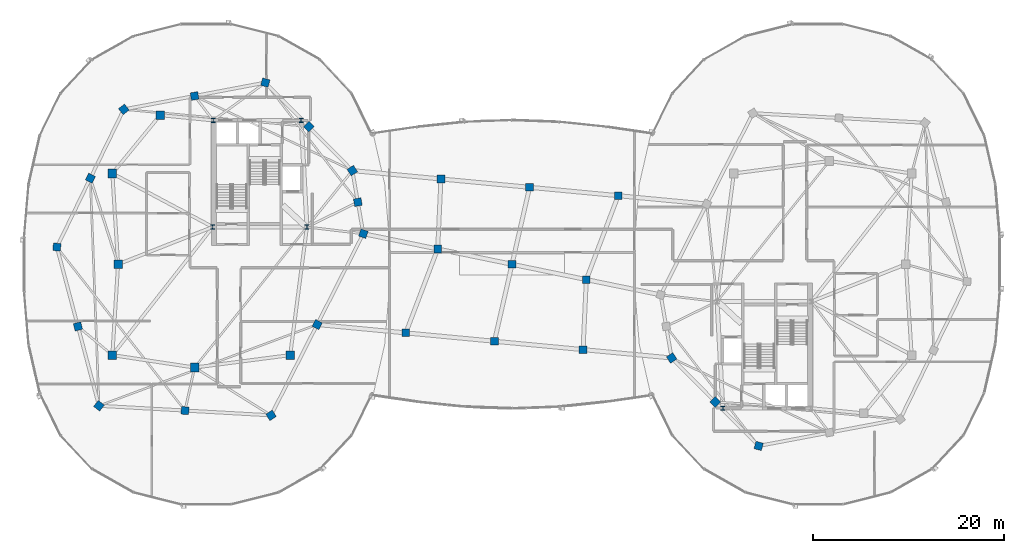
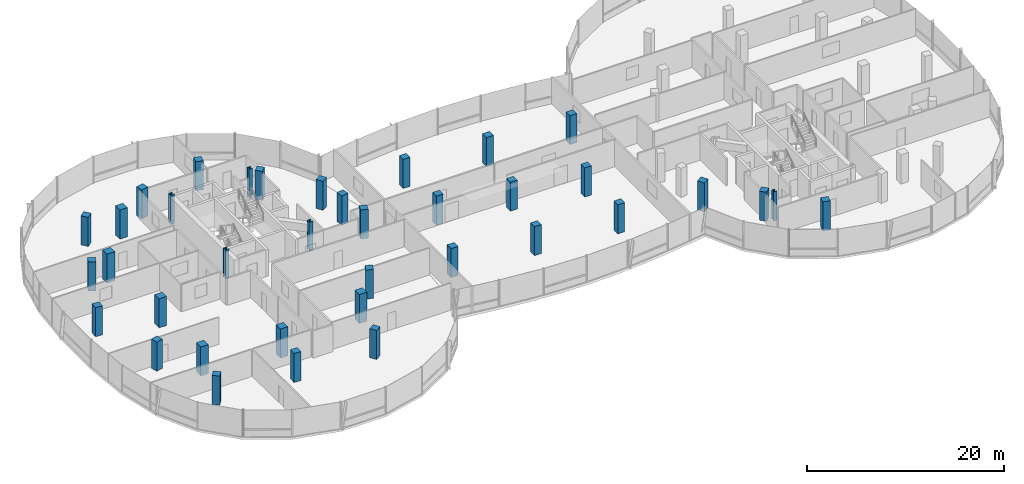
# One storey, part 1 of 26: 37 columns.
"""IFC4 building model written with IfcOpenShell, lengths in metres."""

from ifc_helpers import new_model, si_unit, direction, frame, origin, origin_2d, place, context, subcontext, project, spatial, rectangle, i_section, extrude, material, material_profile, profile_set, type_object, element, save


model = new_model("IFC4")

# Units and contexts
model_context = context("Model", 3, precision=1e-05, world=origin(), true_north=direction((0.0, 1.0)))
body_context = subcontext(model_context, "Body", "Model", "MODEL_VIEW")
ifc_project = project(units=[si_unit("LENGTHUNIT", "METRE"), si_unit("AREAUNIT", "SQUARE_METRE"), si_unit("VOLUMEUNIT", "CUBIC_METRE"), si_unit("PLANEANGLEUNIT", "RADIAN"), si_unit("MASSUNIT", "GRAM", prefix="KILO"), si_unit("THERMODYNAMICTEMPERATUREUNIT", "KELVIN"), si_unit("POWERUNIT", "WATT")], contexts=[model_context])

# Site, building, storey
site_placement = place(None, origin())
site = spatial("IfcSite", under=ifc_project, at=site_placement, CompositionType="ELEMENT")
building_placement = place(site_placement, origin())
building = spatial("IfcBuilding", under=site, at=building_placement, Name="Cundina Bronze Exchange", CompositionType="ELEMENT")
storey_placement = place(building_placement, frame((0.0, 0.0, 243.199951171875)))
storey = spatial("IfcBuildingStorey", under=building, at=storey_placement, Name="L64", CompositionType="ELEMENT", Elevation=243.199951171875)

# Columns
ifc_material_1 = material(Name="Concrete C50/60", Category="concrete")
ifc_material_profile_1 = material_profile(ifc_material_1, rectangle(XDim=0.800048828125, YDim=0.800048828125, at=origin_2d()), Name="RC800X800", Category="concrete")
ifc_profile_set_1 = profile_set([ifc_material_profile_1], Name="Concrete C50/60")
column_type_1 = type_object("IfcColumnType", Name="COL-BRG-800", PredefinedType="COLUMN", material=ifc_profile_set_1)
for number, where, z_axis, x_axis, name in (
    (1, (-15.550048828125, 3.199951171875, 0.0), (0.0, 0.0, 1.0), (0.315152163383, 0.949041155016, 0.0), "L64 W Perimeter Column 00"),
    (2, (-16.125, 6.5, 0.0), (0.0, 0.0, 1.0), (-0.171585221787, 0.985169280715, 0.0), "L64 W Perimeter Column 01"),
    (3, (-16.699951171875, 9.800048828125, 0.0), (0.0, 0.0, 1.0), (-0.544199833495, 0.838955625301, 0.0), "L64 W Perimeter Column 02"),
    (4, (-21.25, 14.39990234375, 0.0), (0.0, 0.0, 1.0), (-0.703270634186, 0.710922228581, 0.0), "L64 W Perimeter Column 03"),
    (5, (-25.800048828125, 19.0, 0.0), (0.0, 0.0, 1.0), (-0.965970984022, 0.258650455301, 0.0), "L64 W Perimeter Column 04"),
    (6, (-33.199951171875, 17.60009765625, 0.0), (0.0, 0.0, 1.0), (-0.98258037664, -0.185838110843, 0.0), "L64 W Perimeter Column 05"),
    (7, (-40.60009765625, 16.199951171875, 0.0), (0.0, 0.0, 1.0), (-0.785100778485, -0.619368038909, 0.0), "L64 W Perimeter Column 06"),
    (8, (-44.10009765625, 9.0, 0.0), (0.0, 0.0, 1.0), (-0.437115766651, -0.899405251566, 0.0), "L64 W Perimeter Column 07"),
    (9, (-47.60009765625, 1.800048828125, 0.0), (0.0, 0.0, 1.0), (-0.083503921245, -0.996507448611, 0.0), "L64 W Perimeter Column 08"),
    (10, (-45.39990234375, -6.5, 0.0), (0.0, 0.0, 1.0), (0.256289373133, -0.966600102017, 0.0), "L64 W Perimeter Column 09"),
    (11, (-43.199951171875, -14.800048828125, 0.0), (0.0, 0.0, 1.0), (0.786288432137, -0.61785961309, 0.0), "L64 W Perimeter Column 10"),
    (12, (-34.199951171875, -15.300048828125, 0.0), (0.0, 0.0, 1.0), (0.998460188734, -0.055472980025, 0.0), "L64 W Perimeter Column 11"),
    (13, (-25.199951171875, -15.800048828125, 0.0), (0.0, 0.0, 1.0), (0.838099763533, 0.545516989988, 0.0), "L64 W Perimeter Column 12"),
    (14, (-20.375, -6.300048828125, 0.0), (0.0, 0.0, 1.0), (0.452901591366, 0.891560513111, 0.0), "L64 W Perimeter Column 13"),
    (15, (16.699951171875, -9.800048828125, 0.0), (0.0, 0.0, 1.0), (0.544199833495, -0.838955625301, 0.0), "L64 E Perimeter Column 02"),
    (16, (21.25, -14.39990234375, 0.0), (0.0, 0.0, 1.0), (0.703270634186, -0.710922228581, 0.0), "L64 E Perimeter Column 03"),
    (17, (25.800048828125, -19.0, 0.0), (0.0, 0.0, 1.0), (0.965970984022, -0.258650455301, 0.0), "L64 E Perimeter Column 04"),
    (18, (-11.106201171875, -7.175048828125, 0.0), (0.0, 0.0, 1.0), (1.0, 0.0, 0.0), "L64 Sky-Gate Bridge Column Y1-X1"),
    (19, (-1.83740234375, -8.050048828125, 0.0), (0.0, 0.0, 1.0), (1.0, 0.0, 0.0), "L64 Sky-Gate Bridge Column Y1-X2"),
    (20, (7.431396484375, -8.925048828125, 0.0), (0.0, 0.0, 1.0), (1.0, 0.0, 0.0), "L64 Sky-Gate Bridge Column Y1-X3"),
    (21, (-7.77490234375, 1.60009765625, 0.0), (0.0, 0.0, 1.0), (1.0, 0.0, 0.0), "L64 Sky-Gate Bridge Column Y2-X1"),
    (22, (0.0, 0.0, 0.0), (0.0, 0.0, 1.0), (1.0, 0.0, 0.0), "L64 Sky-Gate Bridge Column Y2-X2"),
    (23, (7.77490234375, -1.60009765625, 0.0), (0.0, 0.0, 1.0), (1.0, 0.0, 0.0), "L64 Sky-Gate Bridge Column Y2-X3"),
    (24, (-7.43115234375, 8.925048828125, 0.0), (0.0, 0.0, 1.0), (1.0, 0.0, 0.0), "L64 Sky-Gate Bridge Column Y3-X1"),
    (25, (1.83740234375, 8.050048828125, 0.0), (0.0, 0.0, 1.0), (1.0, 0.0, 0.0), "L64 Sky-Gate Bridge Column Y3-X2"),
    (26, (11.106201171875, 7.175048828125, 0.0), (0.0, 0.0, 1.0), (1.0, 0.0, 0.0), "L64 Sky-Gate Bridge Column Y3-X3"),
):
    element("IfcColumn", number, at=place(storey_placement, frame(where, z_axis=z_axis, x_axis=x_axis)), inside=storey, type_object=column_type_1, Name=name, PredefinedType="COLUMN", context=body_context, shape_type="SweptSolid", body=[
        extrude(rectangle(XDim=0.800048828125, YDim=0.800048828125, at=origin_2d()), origin(), (0.0, 0.0, 1.0), 3.60009765625),
    ])
ifc_material_2 = material(Name="Steel ASTM A992 Grade 50", Category="steel")
ifc_material_profile_2 = material_profile(ifc_material_2, i_section(OverallWidth=0.416015625, OverallDepth=0.446044921875, WebThickness=0.0390625, FlangeThickness=0.062744140625, FilletRadius=0.01806640625, at=origin_2d()), Name="W14X342", Category="steel")
ifc_profile_set_2 = profile_set([ifc_material_profile_2], Name="Steel ASTM A992 Grade 50")
column_type_2 = type_object("IfcColumnType", Name="COL-STL-W14B", PredefinedType="COLUMN", material=ifc_profile_set_2)
for number, where, z_axis, x_axis, name in (
    (27, (-31.300048828125, 3.89990234375, 0.0), (0.0, 0.0, 1.0), (1.0, 0.0, 0.0), "L64 Core Anchor Column W1"),
    (28, (-21.449951171875, 3.89990234375, 0.0), (0.0, 0.0, 1.0), (1.0, 0.0, 0.0), "L64 Core Anchor Column W2"),
    (29, (-22.050048828125, 15.050048828125, 0.0), (0.0, 0.0, 1.0), (1.0, 0.0, 0.0), "L64 Core Anchor Column W3"),
    (30, (-31.25, 15.050048828125, 0.0), (0.0, 0.0, 1.0), (1.0, 0.0, 0.0), "L64 Core Anchor Column W4"),
    (31, (22.050048828125, -15.050048828125, 0.0), (0.0, 0.0, 1.0), (1.0, 0.0, 0.0), "L64 Core Anchor Column E3"),
):
    element("IfcColumn", number, at=place(storey_placement, frame(where, z_axis=z_axis, x_axis=x_axis)), inside=storey, type_object=column_type_2, Name=name, PredefinedType="COLUMN", context=body_context, shape_type="SweptSolid", body=[
        extrude(i_section(OverallWidth=0.416015625, OverallDepth=0.446044921875, WebThickness=0.0390625, FlangeThickness=0.062744140625, FilletRadius=0.01806640625, at=origin_2d()), origin(), (0.0, 0.0, 1.0), 3.60009765625),
    ])
ifc_material_profile_3 = material_profile(ifc_material_1, rectangle(XDim=0.89990234375, YDim=0.89990234375, at=origin_2d()), Name="RC900X900", Category="concrete")
ifc_profile_set_3 = profile_set([ifc_material_profile_3], Name="Concrete C50/60")
column_type_3 = type_object("IfcColumnType", Name="COL-Z4-900", PredefinedType="COLUMN", material=ifc_profile_set_3)
for number, where, z_axis, x_axis, name in (
    (32, (-41.199951171875, 0.0, 0.0), (0.0, 0.0, 1.0), (1.0, 0.0, 0.0), "L64 W Inner Ring Column 1"),
    (33, (-41.800048828125, 9.5, 0.0), (0.0, 0.0, 1.0), (1.0, 0.0, 0.0), "L64 W Inner Ring Column 2"),
    (34, (-36.800048828125, 15.60009765625, 0.0), (0.0, 0.0, 1.0), (1.0, 0.0, 0.0), "L64 W Inner Ring Column 3"),
    (35, (-41.800048828125, -9.5, 0.0), (0.0, 0.0, 1.0), (1.0, 0.0, 0.0), "L64 W Inner Ring Column 4"),
    (36, (-33.199951171875, -10.800048828125, 0.0), (0.0, 0.0, 1.0), (1.0, 0.0, 0.0), "L64 W Inner Ring Column 5"),
    (37, (-23.199951171875, -9.5, 0.0), (0.0, 0.0, 1.0), (1.0, 0.0, 0.0), "L64 W Inner Ring Column 6"),
):
    element("IfcColumn", number, at=place(storey_placement, frame(where, z_axis=z_axis, x_axis=x_axis)), inside=storey, type_object=column_type_3, Name=name, PredefinedType="COLUMN", context=body_context, shape_type="SweptSolid", body=[
        extrude(rectangle(XDim=0.89990234375, YDim=0.89990234375, at=origin_2d()), origin(), (0.0, 0.0, 1.0), 3.60009765625),
    ])

save(model, "model.ifc")
